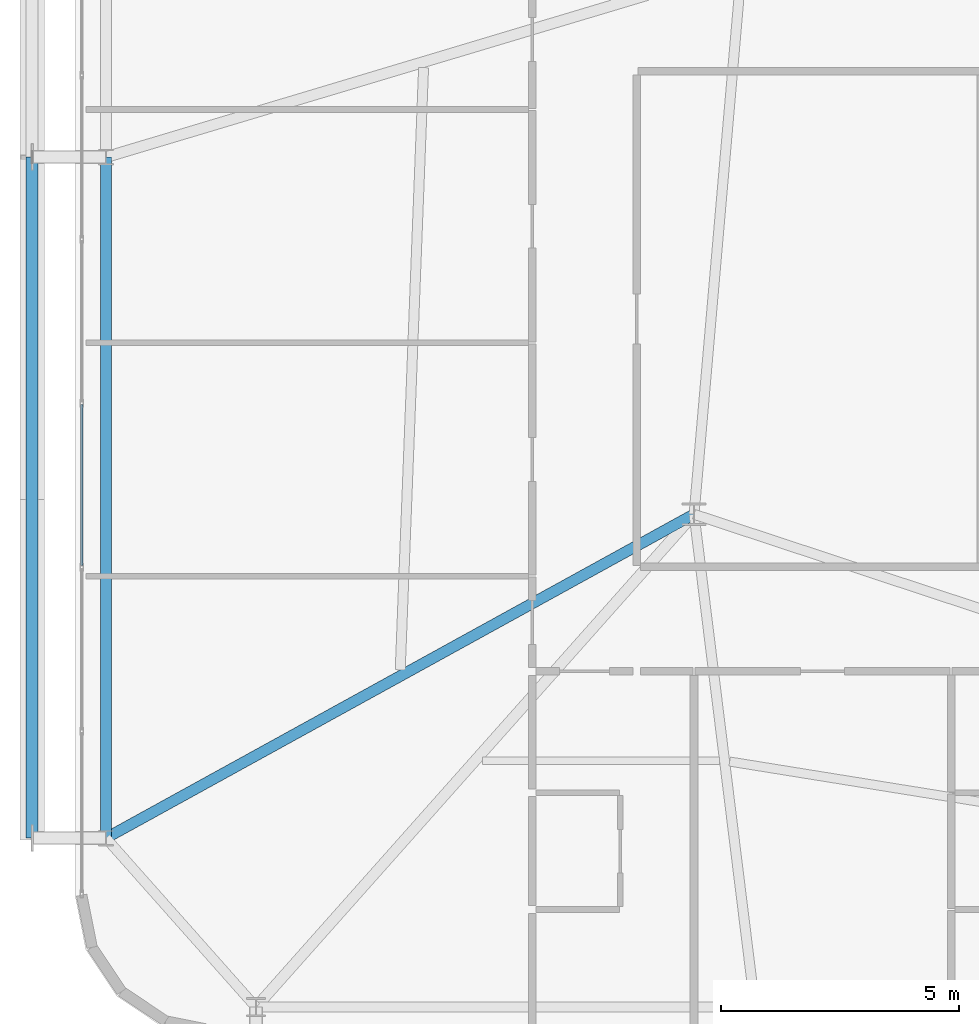
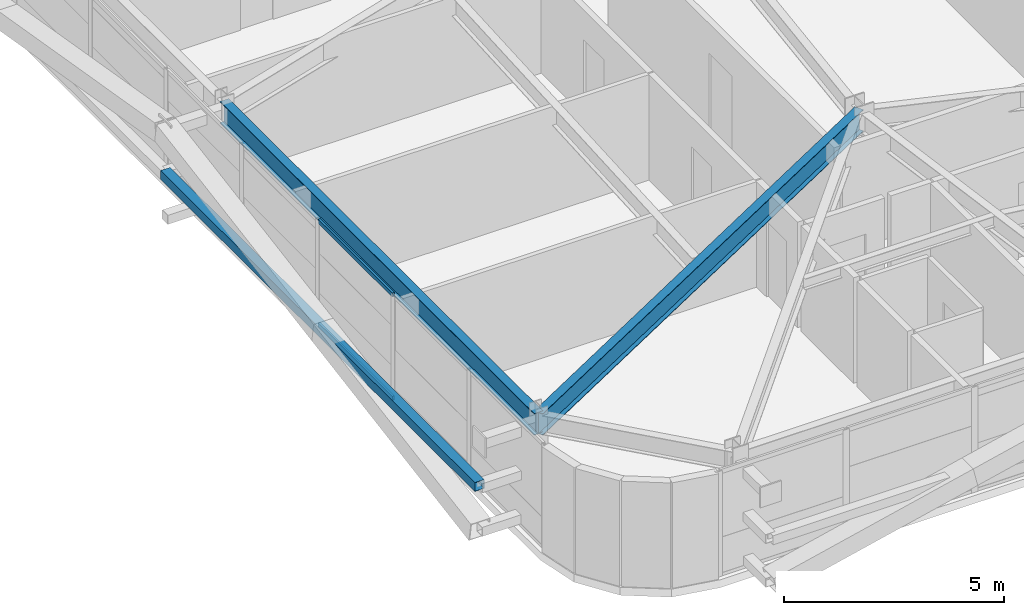
# One storey, part 9 of 58: 3 members, 2 beams, 1 element without a shape of its own.
"""IFC4 building model written with IfcOpenShell, lengths in metres."""

from ifc_helpers import new_model, si_unit, direction, frame, origin, origin_2d, place, context, subcontext, project, spatial, hollow_rectangle, i_section, extrude, source, transform, mapped, material, layer, layer_set, material_profile, profile_set, type_object, element, aggregate, save


model = new_model("IFC4")

# Units and contexts
model_context = context("Model", 3, precision=1e-05, world=origin(), true_north=direction((0.0, 1.0)))
body_context = subcontext(model_context, "Body", "Model", "MODEL_VIEW")
ifc_project = project(units=[si_unit("LENGTHUNIT", "METRE"), si_unit("AREAUNIT", "SQUARE_METRE"), si_unit("VOLUMEUNIT", "CUBIC_METRE"), si_unit("PLANEANGLEUNIT", "RADIAN"), si_unit("MASSUNIT", "GRAM", prefix="KILO")], contexts=[model_context])

# Site, building, storey
site_placement = place(None, origin())
site = spatial("IfcSite", under=ifc_project, at=site_placement, CompositionType="ELEMENT")
building_placement = place(site_placement, origin())
building = spatial("IfcBuilding", under=site, at=building_placement, Name="Taldren Reach Tower", CompositionType="ELEMENT")
storey_placement = place(building_placement, frame((0.0, 0.0, 35.699951171875)))
storey = spatial("IfcBuildingStorey", under=building, at=storey_placement, Name="L10", CompositionType="ELEMENT", Elevation=35.699951171875)

# Beams
ifc_material_1 = material(Name="Steel Gr 350 (350PLUS)", Category="steel")
ifc_material_profile_1 = material_profile(ifc_material_1, i_section(OverallWidth=0.22802734375, OverallDepth=0.60205078125, WebThickness=0.010498046875, FlangeThickness=0.014892578125, at=origin_2d()), Name="610UB101")
ifc_profile_set_1 = profile_set([ifc_material_profile_1], Name="Steel Gr 350 (350PLUS)")
beam_type = type_object("IfcBeamType", Name="BM-UB610B", PredefinedType="BEAM", material=ifc_profile_set_1)
shared_shape_1 = source(origin(), body_context, "Body", "SweptSolid", [
    extrude(i_section(OverallWidth=0.22802734375, OverallDepth=0.60205078125, WebThickness=0.010498046875, FlangeThickness=0.014892578125, at=origin_2d()), origin(), (0.0, 0.0, 1.0), 14.300048828125),
])
beam_1_placement = place(storey_placement, frame((5.64990234375, 20.0, 2.629150390625), z_axis=(0.0, -1.0, 0.0), x_axis=(1.0, 0.0, 0.0)))
element("IfcBeam", 1, at=beam_1_placement, inside=storey, type_object=beam_type, Name="Perimeter gable girder B1 W2-W1 L10", PredefinedType="BEAM", context=body_context, shape_type="MappedRepresentation", body=[
    mapped(shared_shape_1, transform((0.0, 0.0, 0.0), scale=1.0)),
])
shared_shape_2 = source(origin(), body_context, "Body", "SweptSolid", [
    extrude(i_section(OverallWidth=0.22802734375, OverallDepth=0.60205078125, WebThickness=0.010498046875, FlangeThickness=0.014892578125, at=origin_2d()), origin(), (0.0, 0.0, 1.0), 14.098388671875),
])
beam_2_placement = place(storey_placement, frame((18.0, 12.5, 2.629150390625), z_axis=(-0.875991325783, -0.482326857175, 0.0), x_axis=(0.482326857175, -0.875991325783, 0.0)))
element("IfcBeam", 2, at=beam_2_placement, inside=storey, type_object=beam_type, Name="Primary floor girder B1-W1 L10", PredefinedType="BEAM", context=body_context, shape_type="MappedRepresentation", body=[
    mapped(shared_shape_2, transform((0.0, 0.0, 0.0), scale=1.0)),
])

# Member
ifc_material_2 = material(Name="Steel Gr 350 (C350L0)", Category="steel")
ifc_material_profile_2 = material_profile(ifc_material_2, hollow_rectangle(XDim=0.25, YDim=0.25, WallThickness=0.010009765625, at=origin_2d()), Name="250x250x10.0SHS")
ifc_profile_set_2 = profile_set([ifc_material_profile_2], Name="Steel Gr 350 (C350L0)")
member_type_1 = type_object("IfcMemberType", Name="MB-POST250", PredefinedType="POST", material=ifc_profile_set_2)
shared_shape_3 = source(origin(), body_context, "Body", "SweptSolid", [
    extrude(hollow_rectangle(XDim=0.25, YDim=0.25, WallThickness=0.010009765625, at=origin_2d()), origin(), (0.0, 0.0, 1.0), 14.300048828125),
])
member_1_placement = place(storey_placement, frame((4.10009765625, 5.699951171875, 1.43505859375), z_axis=(0.0, 1.0, 0.0), x_axis=(-1.0, 0.0, 0.0)))
element("IfcMember", 3, at=member_1_placement, inside=storey, type_object=member_type_1, Name="Exoskeleton mid-height ring chord B1-W1 L10", PredefinedType="POST", context=body_context, shape_type="MappedRepresentation", body=[
    mapped(shared_shape_3, transform((0.0, 0.0, 0.0), scale=1.0)),
])

# Curtain wall, members
ifc_material_3 = material(Name="Aluminium and Low-E Glass Unitised System", Category="aluminium")
ifc_layer = layer(ifc_material_3, 0.159912109375)
ifc_layer_set = layer_set([ifc_layer], Name="Aluminium and Low-E Glass Unitised System")
curtain_wall_type = type_object("IfcCurtainWallType", Name="CW-SYS-2", PredefinedType="NOTDEFINED", material=ifc_layer_set)
curtain_wall_placement = place(storey_placement, origin())
curtain_wall = element("IfcCurtainWall", 4, at=curtain_wall_placement, inside=storey, type_object=curtain_wall_type, Name="Unitised curtain wall CW-L10-W", PredefinedType="NOTDEFINED")
ifc_material_4 = material(Name="Anodised Aluminium 6063-T6", Category="aluminium")
ifc_material_profile_3 = material_profile(ifc_material_4, hollow_rectangle(XDim=0.054931640625, YDim=0.1201171875, WallThickness=0.0029296875, at=origin_2d()), Name="ALU-120x55x3RHS")
ifc_profile_set_3 = profile_set([ifc_material_profile_3], Name="Anodised Aluminium 6063-T6")
member_type_2 = type_object("IfcMemberType", Name="CW-TRN-135", PredefinedType="USERDEFINED", material=ifc_profile_set_3)
shared_shape_4 = source(origin(), body_context, "Body", "SweptSolid", [
    extrude(hollow_rectangle(XDim=0.054931640625, YDim=0.1201171875, WallThickness=0.0029296875, at=origin_2d()), origin(), (0.0, 0.0, 1.0), 3.37939453125),
])
member_2_placement = place(storey_placement, frame((5.139892578125, 14.80078125, 0.027587890625), z_axis=(0.0, -1.0, 0.0), x_axis=(1.0, 0.0, 0.0)))
member_2 = element("IfcMember", 5, at=member_2_placement, type_object=member_type_2, Name="CW-2 transom 7.1", ObjectType="TRANSOM", PredefinedType="USERDEFINED", context=body_context, shape_type="MappedRepresentation", body=[
    mapped(shared_shape_4, transform((0.0, 0.0, 0.0), scale=1.0)),
])
member_3_placement = place(storey_placement, frame((5.139892578125, 14.80078125, 2.902587890625), z_axis=(0.0, -1.0, 0.0), x_axis=(1.0, 0.0, 0.0)))
member_3 = element("IfcMember", 6, at=member_3_placement, type_object=member_type_2, Name="CW-2 transom 7.2", ObjectType="TRANSOM", PredefinedType="USERDEFINED", context=body_context, shape_type="MappedRepresentation", body=[
    mapped(shared_shape_4, transform((0.0, 0.0, 0.0), scale=1.0)),
])
aggregate(curtain_wall, [member_2, member_3])

save(model, "model.ifc")
